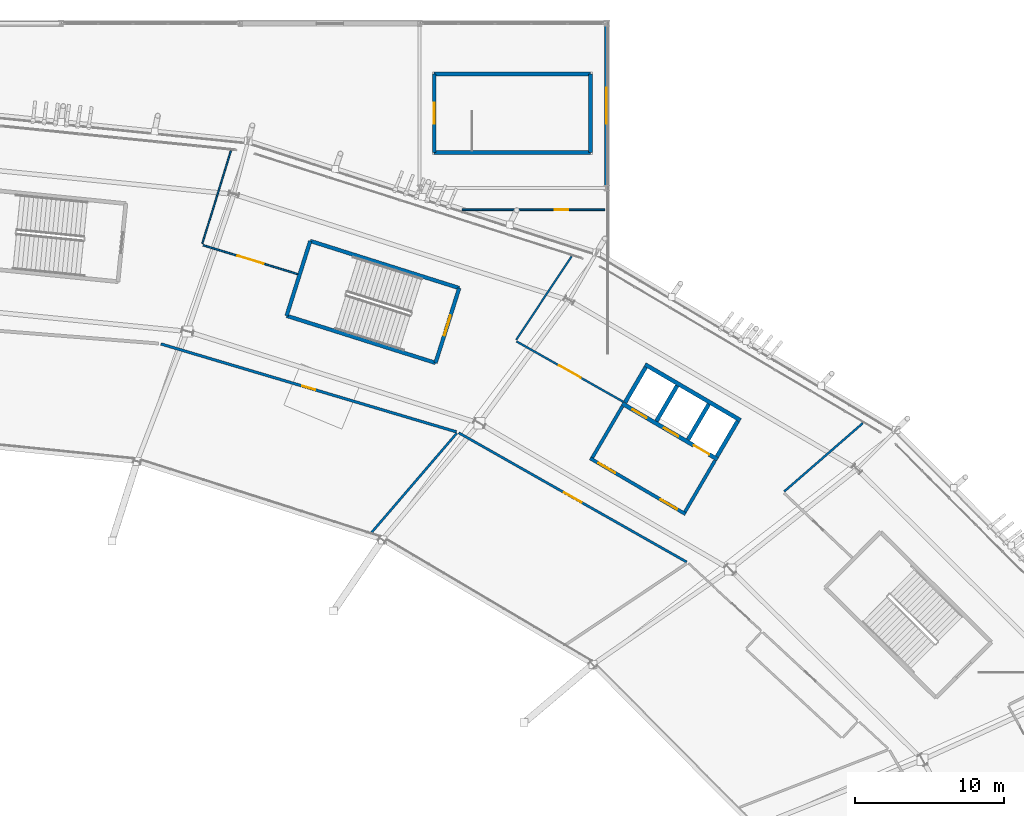
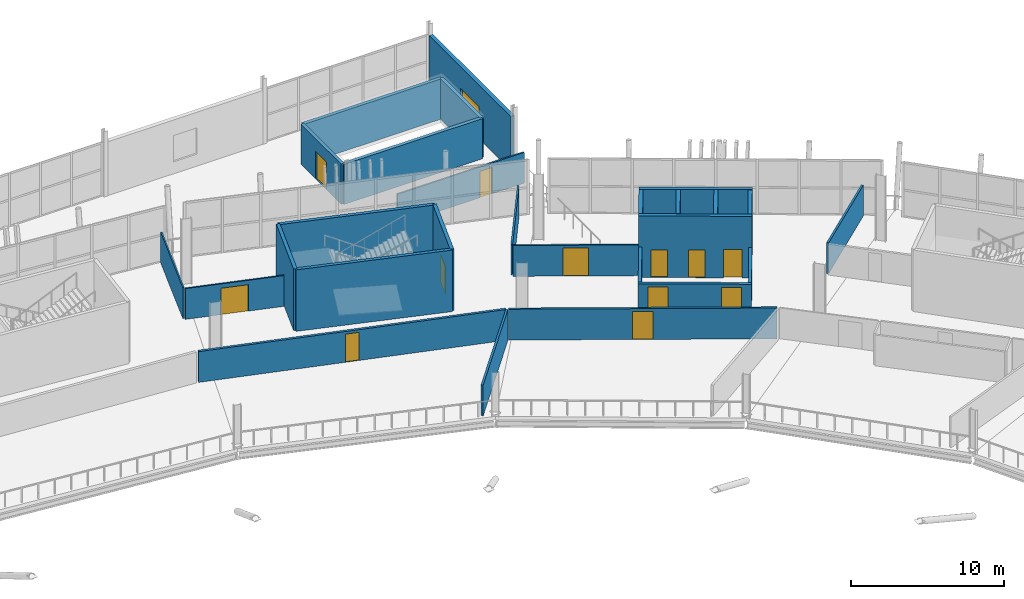
# One storey, part 127 of 168: 27 walls, 12 doors, 1 window, 13 openings.
"""IFC4 building model written with IfcOpenShell, lengths in metres."""

from ifc_helpers import new_model, si_unit, direction, frame, frame_2d, origin, place, context, subcontext, project, spatial, rectangle, extrude, material, layer, layer_set, type_object, element, fill, save


model = new_model("IFC4")

# Units and contexts
model_context = context("Model", 3, precision=1e-05, world=origin(), true_north=direction((0.0, 1.0)))
body_context = subcontext(model_context, "Body", "Model", "MODEL_VIEW")
ifc_project = project(units=[si_unit("LENGTHUNIT", "METRE"), si_unit("AREAUNIT", "SQUARE_METRE"), si_unit("VOLUMEUNIT", "CUBIC_METRE"), si_unit("PLANEANGLEUNIT", "RADIAN"), si_unit("MASSUNIT", "GRAM", prefix="KILO")], contexts=[model_context])

# Site, building, storey
site_placement = place(None, origin())
site = spatial("IfcSite", under=ifc_project, at=site_placement, CompositionType="ELEMENT")
building_placement = place(site_placement, origin())
building = spatial("IfcBuilding", under=site, at=building_placement, Name="Zlatoyarsky Gate Stadium", CompositionType="ELEMENT")
storey_placement = place(building_placement, frame((0.0, 0.0, 15.60009765625)))
storey = spatial("IfcBuildingStorey", under=building, at=storey_placement, Name="L03", CompositionType="ELEMENT", Elevation=15.60009765625)

# Walls
ifc_material_1 = material(Name="Moisture-resistant masonry partition", Category="masonry")
ifc_layer_1 = layer(ifc_material_1, 0.139892578125)
ifc_layer_set_1 = layer_set([ifc_layer_1], Name="Moisture-resistant masonry partition")
wall_type_1 = type_object("IfcWallType", Name="ATHLETE CHANGING BLOCK PARTITION 140", PredefinedType="PARTITIONING", material=ifc_layer_set_1)
wall_1_placement = place(storey_placement, frame((171.889404296875, 128.699462890625, 0.0), z_axis=(0.0, 0.0, 1.0), x_axis=(0.754730895787, 0.656034507434, 0.0)))
element("IfcWall", 1, at=wall_1_placement, inside=storey, type_object=wall_type_1, Name="L03 interior partition PRT-L03-ORD-02R", PredefinedType="PARTITIONING", context=body_context, shape_type="SweptSolid", body=[
    extrude(rectangle(XDim=6.95849609375, YDim=0.139892578125, at=frame_2d((3.479248046875, 0.0))), origin(), (0.0, 0.0, 1.0), 2.449951171875),
])
ifc_material_2 = material(Name="Metal-stud gypsum partition", Category="gypsum")
ifc_layer_2 = layer(ifc_material_2, 0.14990234375)
ifc_layer_set_2 = layer_set([ifc_layer_2], Name="Metal-stud gypsum partition")
wall_type_2 = type_object("IfcWallType", Name="CONCOURSE CORRIDOR PARTITION 150", PredefinedType="PARTITIONING", material=ifc_layer_set_2)
wall_2_placement = place(storey_placement, frame((144.2880859375, 125.9609375, 0.0), z_axis=(0.0, 0.0, 1.0), x_axis=(0.651283048818, 0.758834890027, 0.0)))
element("IfcWall", 2, at=wall_2_placement, inside=storey, type_object=wall_type_2, Name="L03 interior partition PRT-L03-IRD-04", PredefinedType="PARTITIONING", context=body_context, shape_type="SweptSolid", body=[
    extrude(rectangle(XDim=8.74853515625, YDim=0.14990234375, at=frame_2d((4.374267578125, 0.0))), origin(), (0.0, 0.0, 1.0), 2.449951171875),
])
ifc_material_3 = material(Name="Concrete C40/50", Category="concrete")
ifc_layer_3 = layer(ifc_material_3, 0.27001953125)
ifc_layer_set_3 = layer_set([ifc_layer_3], Name="Concrete C40/50")
wall_type_3 = type_object("IfcWallType", Name="CONCRETE LIFT SHAFT SHEAR WALL 270", PredefinedType="SHEAR", material=ifc_layer_set_3)
wall_3_placement = place(storey_placement, frame((168.962646484375, 133.458984375, 0.0), z_axis=(0.0, 0.0, 1.0), x_axis=(-0.862865684113, 0.505433290534, 0.0)))
element("IfcWall", 3, at=wall_3_placement, inside=storey, type_object=wall_type_3, Name="C1 L03 lift shaft rear wall", PredefinedType="SHEAR", context=body_context, shape_type="SweptSolid", body=[
    extrude(rectangle(XDim=7.400146484375, YDim=0.27001953125, at=frame_2d((3.7001953125, 0.0))), origin(), (0.0, 0.0, 1.0), 4.89990234375),
])
for number, where, z_axis, x_axis, name in (
    (4, (168.772705078125, 133.402099609375, 0.0), (0.0, 0.0, 1.0), (-0.505465660416, -0.862846722275, 0.0), "C1 L03 lift shaft left wall"),
    (5, (162.62060546875, 137.006103515625, 0.0), (0.0, 0.0, 1.0), (-0.505465660416, -0.862846722275, 0.0), "C1 L03 lift shaft right wall"),
):
    element("IfcWall", number, at=place(storey_placement, frame(where, z_axis=z_axis, x_axis=x_axis)), inside=storey, type_object=wall_type_3, Name=name, PredefinedType="SHEAR", context=body_context, shape_type="SweptSolid", body=[
        extrude(rectangle(XDim=2.739990234375, YDim=0.27001953125, at=frame_2d((1.3701171875, 0.0))), origin(), (0.0, 0.0, 1.0), 4.89990234375),
    ])
wall_4_placement = place(storey_placement, frame((166.840087890625, 134.5341796875, 0.0), z_axis=(0.0, 0.0, 1.0), x_axis=(-0.505504523015, -0.862823954936, 0.0)))
element("IfcWall", 6, at=wall_4_placement, inside=storey, type_object=wall_type_3, Name="C1 L03 lift shaft divider 1", PredefinedType="SHEAR", context=body_context, shape_type="SweptSolid", body=[
    extrude(rectangle(XDim=2.73974609375, YDim=0.27001953125, at=frame_2d((1.369873046875, 0.0))), origin(), (0.0, 0.0, 1.0), 4.89990234375),
])
wall_5_placement = place(storey_placement, frame((164.72607421875, 135.772705078125, 0.0), z_axis=(0.0, 0.0, 1.0), x_axis=(-0.505465660416, -0.862846722275, 0.0)))
element("IfcWall", 7, at=wall_5_placement, inside=storey, type_object=wall_type_3, Name="C1 L03 lift shaft divider 2", PredefinedType="SHEAR", context=body_context, shape_type="SweptSolid", body=[
    extrude(rectangle(XDim=2.739990234375, YDim=0.27001953125, at=frame_2d((1.3701171875, 0.0))), origin(), (0.0, 0.0, 1.0), 4.89990234375),
])

# Wall, openings, doors
wall_6_placement = place(storey_placement, frame((167.430908203125, 130.844482421875, 0.0), z_axis=(0.0, 0.0, 1.0), x_axis=(-0.862842866418, 0.505472242434, 0.0)))
wall_6 = element("IfcWall", 8, at=wall_6_placement, inside=storey, type_object=wall_type_3, Name="C1 L03 lift landing front wall", PredefinedType="SHEAR", context=body_context, shape_type="SweptSolid", body=[
    extrude(rectangle(XDim=7.39990234375, YDim=0.27001953125, at=frame_2d((3.699951171875, 0.0))), origin(), (0.0, 0.0, 1.0), 4.89990234375),
])
opening_1_placement = place(wall_6_placement, frame((0.64990234375, 0.0, 0.0)))
opening_1 = element("IfcOpeningElement", 9, at=opening_1_placement, cuts=wall_6, Name="Opening LD-FL-01-L03", PredefinedType="OPENING", context=body_context, shape_type="SweptSolid", body=[
    extrude(rectangle(XDim=1.199951171875, YDim=2.25, at=frame_2d((0.60009765625, 1.125))), frame((0.0, 0.14501953125, 0.0), z_axis=(0.0, -1.0, 0.0), x_axis=(1.0, 0.0, 0.0)), (0.0, 0.0, 1.0), 0.2900390625),
])
opening_2_placement = place(wall_6_placement, frame((3.050048828125, 0.0, 0.0)))
opening_2 = element("IfcOpeningElement", 10, at=opening_2_placement, cuts=wall_6, Name="Opening LD-LF-01-L03", PredefinedType="OPENING", context=body_context, shape_type="SweptSolid", body=[
    extrude(rectangle(XDim=1.10009765625, YDim=2.199951171875, at=frame_2d((0.550048828125, 1.10009765625))), frame((0.0, 0.14501953125, 0.0), z_axis=(0.0, -1.0, 0.0), x_axis=(1.0, 0.0, 0.0)), (0.0, 0.0, 1.0), 0.2900390625),
])
opening_3_placement = place(wall_6_placement, frame((5.5, 0.0, 0.0)))
opening_3 = element("IfcOpeningElement", 11, at=opening_3_placement, cuts=wall_6, Name="Opening LD-LF-02-L03", PredefinedType="OPENING", context=body_context, shape_type="SweptSolid", body=[
    extrude(rectangle(XDim=1.10009765625, YDim=2.199951171875, at=frame_2d((0.550048828125, 1.10009765625))), frame((0.0, 0.14501953125, 0.0), z_axis=(0.0, -1.0, 0.0), x_axis=(1.0, 0.0, 0.0)), (0.0, 0.0, 1.0), 0.2900390625),
])
ifc_material_4 = material(Name="Powder-coated steel fire door", Category="steel")
door_type_1 = type_object("IfcDoorType", Name="STAINLESS LIFT LANDING SLIDING DOOR 1100X2200", OperationType="DOUBLE_DOOR_SLIDING", PredefinedType="DOOR", material=ifc_material_4)
door_1_placement = place(opening_2_placement, origin())
door_1 = element("IfcDoor", 12, at=door_1_placement, inside=storey, type_object=door_type_1, Name="Lift LF-01 L03 sliding landing door", OperationType="DOUBLE_DOOR_SLIDING", OverallHeight=2.199951171875, OverallWidth=1.10009765625, PredefinedType="DOOR", context=body_context, shape_type="SweptSolid", body=[
    extrude(rectangle(XDim=1.10009765625, YDim=2.199951171875, at=frame_2d((0.550048828125, 1.10009765625))), frame((0.0, 0.02490234375, 0.0), z_axis=(0.0, -1.0, 0.0), x_axis=(1.0, 0.0, 0.0)), (0.0, 0.0, 1.0), 0.050048828125),
])
fill(opening_2, door_1)
door_2_placement = place(opening_3_placement, origin())
door_2 = element("IfcDoor", 13, at=door_2_placement, inside=storey, type_object=door_type_1, Name="Lift LF-02 L03 sliding landing door", OperationType="DOUBLE_DOOR_SLIDING", OverallHeight=2.199951171875, OverallWidth=1.10009765625, PredefinedType="DOOR", context=body_context, shape_type="SweptSolid", body=[
    extrude(rectangle(XDim=1.10009765625, YDim=2.199951171875, at=frame_2d((0.550048828125, 1.10009765625))), frame((0.0, 0.02490234375, 0.0), z_axis=(0.0, -1.0, 0.0), x_axis=(1.0, 0.0, 0.0)), (0.0, 0.0, 1.0), 0.050048828125),
])
fill(opening_3, door_2)
door_type_2 = type_object("IfcDoorType", Name="STAINLESS LIFT LANDING SLIDING DOOR 1200X2250", OperationType="DOUBLE_DOOR_SLIDING", PredefinedType="DOOR", material=ifc_material_4)
door_3_placement = place(opening_1_placement, origin())
door_3 = element("IfcDoor", 14, at=door_3_placement, inside=storey, type_object=door_type_2, Name="Lift FL-01 L03 sliding landing door", OperationType="DOUBLE_DOOR_SLIDING", OverallHeight=2.25, OverallWidth=1.199951171875, PredefinedType="DOOR", context=body_context, shape_type="SweptSolid", body=[
    extrude(rectangle(XDim=1.199951171875, YDim=2.25, at=frame_2d((0.60009765625, 1.125))), frame((0.0, 0.02490234375, 0.0), z_axis=(0.0, -1.0, 0.0), x_axis=(1.0, 0.0, 0.0)), (0.0, 0.0, 1.0), 0.050048828125),
])
fill(opening_1, door_3)

# Wall, opening, door
ifc_layer_4 = layer(ifc_material_3, 0.25)
ifc_layer_set_4 = layer_set([ifc_layer_4], Name="Concrete C40/50")
wall_type_4 = type_object("IfcWallType", Name="CONCRETE STAIR CORE SHEAR WALL 250", PredefinedType="SHEAR", material=ifc_layer_set_4)
wall_7_placement = place(storey_placement, frame((148.563232421875, 137.30126953125, 0.0), z_axis=(0.0, 0.0, 1.0), x_axis=(0.30152749866, 0.953457480726, 0.0)))
wall_7 = element("IfcWall", 15, at=wall_7_placement, inside=storey, type_object=wall_type_4, Name="ST-03 L03 stair core entrance shear wall", PredefinedType="SHEAR", context=body_context, shape_type="SweptSolid", body=[
    extrude(rectangle(XDim=5.25, YDim=0.25, at=frame_2d((2.625, 0.0))), origin(), (0.0, 0.0, 1.0), 4.89990234375),
])
opening_4_placement = place(wall_7_placement, frame((1.925048828125, 0.0, 0.0)))
opening_4 = element("IfcOpeningElement", 16, at=opening_4_placement, cuts=wall_7, Name="Opening SD-ST-03-L03", PredefinedType="OPENING", context=body_context, shape_type="SweptSolid", body=[
    extrude(rectangle(XDim=1.39990234375, YDim=2.199951171875, at=frame_2d((0.699951171875, 1.10009765625))), frame((0.0, 0.135009765625, 0.0), z_axis=(0.0, -1.0, 0.0), x_axis=(1.0, 0.0, 0.0)), (0.0, 0.0, 1.0), 0.27001953125),
])
door_type_3 = type_object("IfcDoorType", Name="STAIR CORE FIRE EXIT DOOR 1400X2200", OperationType="NOTDEFINED", PredefinedType="DOOR", material=ifc_material_4)
door_4_placement = place(opening_4_placement, frame((1.39990234375, 0.0, 0.0), z_axis=(0.0, 0.0, 1.0), x_axis=(-1.0, 0.0, 0.0)))
door_4 = element("IfcDoor", 17, at=door_4_placement, inside=storey, type_object=door_type_3, Name="ST-03 L03 stair fire door", OperationType="SINGLE_SWING_RIGHT", OverallHeight=2.199951171875, OverallWidth=1.39990234375, PredefinedType="DOOR", context=body_context, shape_type="SweptSolid", body=[
    extrude(rectangle(XDim=1.39990234375, YDim=2.199951171875, at=frame_2d((0.699951171875, 1.10009765625))), frame((0.0, 0.02490234375, 0.0), z_axis=(0.0, -1.0, 0.0), x_axis=(1.0, 0.0, 0.0)), (0.0, 0.0, 1.0), 0.050048828125),
])
fill(opening_4, door_4)

# Walls
wall_8_placement = place(storey_placement, frame((150.146240234375, 142.306884765625, 0.0), z_axis=(0.0, 0.0, 1.0), x_axis=(-0.953461834254, 0.301513732061, 0.0)))
element("IfcWall", 18, at=wall_8_placement, inside=storey, type_object=wall_type_4, Name="ST-03 L03 stair core left shear wall", PredefinedType="SHEAR", context=body_context, shape_type="SweptSolid", body=[
    extrude(rectangle(XDim=10.4501953125, YDim=0.25, at=frame_2d((5.22509765625, 0.0))), origin(), (0.0, 0.0, 1.0), 4.89990234375),
])
wall_9_placement = place(storey_placement, frame((140.182373046875, 145.457763671875, 0.0), z_axis=(0.0, 0.0, 1.0), x_axis=(-0.301485222482, -0.953470849384, 0.0)))
element("IfcWall", 19, at=wall_9_placement, inside=storey, type_object=wall_type_4, Name="ST-03 L03 stair core far shear wall", PredefinedType="SHEAR", context=body_context, shape_type="SweptSolid", body=[
    extrude(rectangle(XDim=5.25, YDim=0.25, at=frame_2d((2.625, 0.0))), origin(), (0.0, 0.0, 1.0), 4.89990234375),
])
wall_10_placement = place(storey_placement, frame((138.599609375, 140.4521484375, 0.0), z_axis=(0.0, 0.0, 1.0), x_axis=(0.953459710305, -0.301520448438, 0.0)))
element("IfcWall", 20, at=wall_10_placement, inside=storey, type_object=wall_type_4, Name="ST-03 L03 stair core right shear wall", PredefinedType="SHEAR", context=body_context, shape_type="SweptSolid", body=[
    extrude(rectangle(XDim=10.449951171875, YDim=0.25, at=frame_2d((5.22509765625, 0.0))), origin(), (0.0, 0.0, 1.0), 4.89990234375),
])

# Wall, opening, door
wall_11_placement = place(storey_placement, frame((148.47509765625, 156.625, 0.0), z_axis=(0.0, 0.0, 1.0), x_axis=(0.0, -1.0, 0.0)))
wall_11 = element("IfcWall", 21, at=wall_11_placement, inside=storey, type_object=wall_type_4, Name="ST-32 L03 stair core entrance shear wall", PredefinedType="SHEAR", context=body_context, shape_type="SweptSolid", body=[
    extrude(rectangle(XDim=5.25, YDim=0.25, at=frame_2d((2.625, 0.0))), origin(), (0.0, 0.0, 1.0), 3.199951171875),
])
opening_5_placement = place(wall_11_placement, frame((1.925048828125, 0.0, 0.0)))
opening_5 = element("IfcOpeningElement", 22, at=opening_5_placement, cuts=wall_11, Name="Opening SD-ST-32-L03", PredefinedType="OPENING", context=body_context, shape_type="SweptSolid", body=[
    extrude(rectangle(XDim=1.39990234375, YDim=2.199951171875, at=frame_2d((0.699951171875, 1.10009765625))), frame((0.0, 0.135009765625, 0.0), z_axis=(0.0, -1.0, 0.0), x_axis=(1.0, 0.0, 0.0)), (0.0, 0.0, 1.0), 0.27001953125),
])
door_5_placement = place(opening_5_placement, frame((1.39990234375, 0.0, 0.0), z_axis=(0.0, 0.0, 1.0), x_axis=(-1.0, 0.0, 0.0)))
door_5 = element("IfcDoor", 23, at=door_5_placement, inside=storey, type_object=door_type_3, Name="ST-32 L03 stair fire door", OperationType="SINGLE_SWING_RIGHT", OverallHeight=2.199951171875, OverallWidth=1.39990234375, PredefinedType="DOOR", context=body_context, shape_type="SweptSolid", body=[
    extrude(rectangle(XDim=1.39990234375, YDim=2.199951171875, at=frame_2d((0.699951171875, 1.10009765625))), frame((0.0, 0.02490234375, 0.0), z_axis=(0.0, -1.0, 0.0), x_axis=(1.0, 0.0, 0.0)), (0.0, 0.0, 1.0), 0.050048828125),
])
fill(opening_5, door_5)

# Walls
wall_12_placement = place(storey_placement, frame((148.47509765625, 151.375, 0.0), z_axis=(0.0, 0.0, 1.0), x_axis=(1.0, 0.0, 0.0)))
element("IfcWall", 24, at=wall_12_placement, inside=storey, type_object=wall_type_4, Name="ST-32 L03 stair core left shear wall", PredefinedType="SHEAR", context=body_context, shape_type="SweptSolid", body=[
    extrude(rectangle(XDim=10.449951171875, YDim=0.25, at=frame_2d((5.22509765625, 0.0))), origin(), (0.0, 0.0, 1.0), 3.199951171875),
])
wall_13_placement = place(storey_placement, frame((158.925048828125, 151.375, 0.0), z_axis=(0.0, 0.0, 1.0), x_axis=(0.0, 1.0, 0.0)))
element("IfcWall", 25, at=wall_13_placement, inside=storey, type_object=wall_type_4, Name="ST-32 L03 stair core far shear wall", PredefinedType="SHEAR", context=body_context, shape_type="SweptSolid", body=[
    extrude(rectangle(XDim=5.25, YDim=0.25, at=frame_2d((2.625, 0.0))), origin(), (0.0, 0.0, 1.0), 3.199951171875),
])
wall_14_placement = place(storey_placement, frame((158.925048828125, 156.625, 0.0), z_axis=(0.0, 0.0, 1.0), x_axis=(-1.0, 0.0, 0.0)))
element("IfcWall", 26, at=wall_14_placement, inside=storey, type_object=wall_type_4, Name="ST-32 L03 stair core right shear wall", PredefinedType="SHEAR", context=body_context, shape_type="SweptSolid", body=[
    extrude(rectangle(XDim=10.449951171875, YDim=0.25, at=frame_2d((5.22509765625, 0.0))), origin(), (0.0, 0.0, 1.0), 3.199951171875),
])
ifc_material_5 = material(Name="Autoclaved aerated concrete masonry EI 120", Category="masonry")
ifc_layer_5 = layer(ifc_material_5, 0.219970703125)
ifc_layer_set_5 = layer_set([ifc_layer_5], Name="Autoclaved aerated concrete masonry EI 120")
wall_type_5 = type_object("IfcWallType", Name="FIREFIGHTING LOBBY RATED WALL 220", PredefinedType="PARTITIONING", material=ifc_layer_set_5)
for number, where, z_axis, x_axis, name in (
    (27, (167.2578125, 130.766357421875, 0.0), (0.0, 0.0, 1.0), (-0.505464443681, -0.862847435051, 0.0), "C1 L03 firefighting lobby left wall"),
    (28, (161.0625, 134.3955078125, 0.0), (0.0, 0.0, 1.0), (-0.505464443681, -0.862847435051, 0.0), "C1 L03 firefighting lobby right wall"),
):
    element("IfcWall", number, at=place(storey_placement, frame(where, z_axis=z_axis, x_axis=x_axis)), inside=storey, type_object=wall_type_5, Name=name, PredefinedType="PARTITIONING", context=body_context, shape_type="SweptSolid", body=[
        extrude(rectangle(XDim=3.97998046875, YDim=0.219970703125, at=frame_2d((1.989990234375, 0.0))), origin(), (0.0, 0.0, 1.0), 2.449951171875),
    ])

# Wall, openings, doors
wall_15_placement = place(storey_placement, frame((165.285400390625, 127.181640625, 0.0), z_axis=(0.0, 0.0, 1.0), x_axis=(-0.862851295616, 0.505457853488, 0.0)))
wall_15 = element("IfcWall", 29, at=wall_15_placement, inside=storey, type_object=wall_type_5, Name="C1 L03 firefighting lobby front wall", PredefinedType="PARTITIONING", context=body_context, shape_type="SweptSolid", body=[
    extrude(rectangle(XDim=7.400146484375, YDim=0.219970703125, at=frame_2d((3.7001953125, 0.0))), origin(), (0.0, 0.0, 1.0), 2.449951171875),
])
opening_6_placement = place(wall_15_placement, frame((0.64990234375, 0.0, 0.0)))
opening_6 = element("IfcOpeningElement", 30, at=opening_6_placement, cuts=wall_15, Name="Opening FD-C1-L03-A", PredefinedType="OPENING", context=body_context, shape_type="SweptSolid", body=[
    extrude(rectangle(XDim=1.300048828125, YDim=2.199951171875, at=frame_2d((0.64990234375, 1.10009765625))), frame((0.0, 0.119873046875, 0.0), z_axis=(0.0, -1.0, 0.0), x_axis=(1.0, 0.0, 0.0)), (0.0, 0.0, 1.0), 0.239990234375),
])
opening_7_placement = place(wall_15_placement, frame((5.449951171875, 0.0, 0.0)))
opening_7 = element("IfcOpeningElement", 31, at=opening_7_placement, cuts=wall_15, Name="Opening FD-C1-L03-B", PredefinedType="OPENING", context=body_context, shape_type="SweptSolid", body=[
    extrude(rectangle(XDim=1.300048828125, YDim=2.199951171875, at=frame_2d((0.64990234375, 1.10009765625))), frame((0.0, 0.119873046875, 0.0), z_axis=(0.0, -1.0, 0.0), x_axis=(1.0, 0.0, 0.0)), (0.0, 0.0, 1.0), 0.239990234375),
])
door_type_4 = type_object("IfcDoorType", Name="FIREFIGHTING LOBBY FIRE DOOR 1300X2200", OperationType="NOTDEFINED", PredefinedType="DOOR", material=ifc_material_4)
door_6_placement = place(opening_6_placement, origin())
door_6 = element("IfcDoor", 32, at=door_6_placement, inside=storey, type_object=door_type_4, Name="C1 L03 firefighting lobby fire door FD-C1-L03-A", OperationType="SINGLE_SWING_LEFT", OverallHeight=2.199951171875, OverallWidth=1.300048828125, PredefinedType="DOOR", context=body_context, shape_type="SweptSolid", body=[
    extrude(rectangle(XDim=1.300048828125, YDim=2.199951171875, at=frame_2d((0.64990234375, 1.10009765625))), frame((0.0, 0.02490234375, 0.0), z_axis=(0.0, -1.0, 0.0), x_axis=(1.0, 0.0, 0.0)), (0.0, 0.0, 1.0), 0.050048828125),
])
fill(opening_6, door_6)
door_7_placement = place(opening_7_placement, origin())
door_7 = element("IfcDoor", 33, at=door_7_placement, inside=storey, type_object=door_type_4, Name="C1 L03 firefighting lobby fire door FD-C1-L03-B", OperationType="SINGLE_SWING_RIGHT", OverallHeight=2.199951171875, OverallWidth=1.300048828125, PredefinedType="DOOR", context=body_context, shape_type="SweptSolid", body=[
    extrude(rectangle(XDim=1.300048828125, YDim=2.199951171875, at=frame_2d((0.64990234375, 1.10009765625))), frame((0.0, 0.02490234375, 0.0), z_axis=(0.0, -1.0, 0.0), x_axis=(1.0, 0.0, 0.0)), (0.0, 0.0, 1.0), 0.050048828125),
])
fill(opening_7, door_7)

# Wall, opening, door
ifc_material_6 = material(Name="Acoustic metal-stud gypsum partition", Category="gypsum")
ifc_layer_6 = layer(ifc_material_6, 0.159912109375)
ifc_layer_set_6 = layer_set([ifc_layer_6], Name="Acoustic metal-stud gypsum partition")
wall_type_6 = type_object("IfcWallType", Name="HOSPITALITY SUITE PARTITION 160", PredefinedType="PARTITIONING", material=ifc_layer_set_6)
wall_16_placement = place(storey_placement, frame((165.364990234375, 123.978515625, 0.0), z_axis=(0.0, 0.0, 1.0), x_axis=(-0.869966621759, 0.493110613377, 0.0)))
wall_16 = element("IfcWall", 34, at=wall_16_placement, inside=storey, type_object=wall_type_6, Name="L03 interior partition PRT-L03-ICC-03", PredefinedType="PARTITIONING", context=body_context, shape_type="SweptSolid", body=[
    extrude(rectangle(XDim=17.529052734375, YDim=0.159912109375, at=frame_2d((8.7646484375, 0.0))), origin(), (0.0, 0.0, 1.0), 2.449951171875),
])
opening_8_placement = place(wall_16_placement, frame((8.094482421875, 0.0, 0.0)))
opening_8 = element("IfcOpeningElement", 35, at=opening_8_placement, cuts=wall_16, Name="Opening D-L03-401", PredefinedType="OPENING", context=body_context, shape_type="SweptSolid", body=[
    extrude(rectangle(XDim=1.340087890625, YDim=2.239990234375, at=frame_2d((0.669921875, 1.1201171875))), frame((0.0, 0.08984375, 0.0), z_axis=(0.0, -1.0, 0.0), x_axis=(1.0, 0.0, 0.0)), (0.0, 0.0, 1.0), 0.179931640625),
])
door_type_5 = type_object("IfcDoorType", Name="ACOUSTIC INTERIOR DOOR 1340X2240", OperationType="NOTDEFINED", PredefinedType="DOOR", material=ifc_material_4)
door_8_placement = place(opening_8_placement, origin())
door_8 = element("IfcDoor", 36, at=door_8_placement, inside=storey, type_object=door_type_5, Name="L03 room door D-L03-401", OperationType="SINGLE_SWING_RIGHT", OverallHeight=2.239990234375, OverallWidth=1.340087890625, PredefinedType="DOOR", context=body_context, shape_type="SweptSolid", body=[
    extrude(rectangle(XDim=1.340087890625, YDim=2.239990234375, at=frame_2d((0.669921875, 1.1201171875))), frame((0.0, 0.02490234375, 0.0), z_axis=(0.0, -1.0, 0.0), x_axis=(1.0, 0.0, 0.0)), (0.0, 0.0, 1.0), 0.050048828125),
])
fill(opening_8, door_8)

# Wall, opening, window
ifc_material_7 = material(Name="Limestone-faced insulated masonry wall", Category="masonry")
ifc_layer_7 = layer(ifc_material_7, 0.300048828125)
ifc_layer_set_7 = layer_set([ifc_layer_7], Name="Limestone-faced insulated masonry wall")
wall_type_7 = type_object("IfcWallType", Name="INSULATED PAVILION FACADE WALL 300", PredefinedType="STANDARD", material=ifc_layer_set_7)
wall_17_placement = place(storey_placement, frame((160.0, 149.177001953125, 0.0), z_axis=(0.0, 0.0, 1.0), x_axis=(0.0, 1.0, 0.0)))
wall_17 = element("IfcWall", 37, at=wall_17_placement, inside=storey, type_object=wall_type_7, Name="V2_NORTH L03 E exterior wall", PredefinedType="STANDARD", context=body_context, shape_type="SweptSolid", body=[
    extrude(rectangle(XDim=10.64599609375, YDim=0.300048828125, at=frame_2d((5.322998046875, 0.0))), origin(), (0.0, 0.0, 1.0), 4.27978515625),
])
opening_9_placement = place(wall_17_placement, frame((4.123046875, 0.0, 0.949951171875)))
opening_9 = element("IfcOpeningElement", 38, at=opening_9_placement, cuts=wall_17, Name="Opening WN-18", PredefinedType="OPENING", context=body_context, shape_type="SweptSolid", body=[
    extrude(rectangle(XDim=2.39990234375, YDim=1.60009765625, at=frame_2d((1.199951171875, 0.800048828125))), frame((0.0, 0.159912109375, 0.0), z_axis=(0.0, -1.0, 0.0), x_axis=(1.0, 0.0, 0.0)), (0.0, 0.0, 1.0), 0.320068359375),
])
ifc_material_8 = material(Name="Triple-glazed thermally broken aluminium window", Category="aluminium")
window_type = type_object("IfcWindowType", Name="TRIPLE GLAZED ALUMINIUM WINDOW 2400X1600", PartitioningType="SINGLE_PANEL", PredefinedType="WINDOW", material=ifc_material_8)
window_placement = place(opening_9_placement, origin())
window = element("IfcWindow", 39, at=window_placement, inside=storey, type_object=window_type, Name="Exterior window WIN-L03-018", OverallHeight=1.60009765625, OverallWidth=2.39990234375, PartitioningType="SINGLE_PANEL", PredefinedType="WINDOW", context=body_context, shape_type="SweptSolid", body=[
    extrude(rectangle(XDim=2.39990234375, YDim=1.60009765625, at=frame_2d((1.199951171875, 0.800048828125))), frame((0.0, 0.030029296875, 0.0), z_axis=(0.0, -1.0, 0.0), x_axis=(1.0, 0.0, 0.0)), (0.0, 0.0, 1.0), 0.06005859375),
])
fill(opening_9, window)

# Wall, opening, door
ifc_layer_8 = layer(ifc_material_2, 0.110107421875)
ifc_layer_set_8 = layer_set([ifc_layer_8], Name="Metal-stud gypsum partition")
wall_type_8 = type_object("IfcWallType", Name="KIOSK SERVICE PARTITION 110", PredefinedType="PARTITIONING", material=ifc_layer_set_8)
wall_18_placement = place(storey_placement, frame((139.34375, 143.236328125, 0.0), z_axis=(0.0, 0.0, 1.0), x_axis=(-0.956207119829, 0.29269086762, 0.0)))
wall_18 = element("IfcWall", 40, at=wall_18_placement, inside=storey, type_object=wall_type_8, Name="L03 interior partition PRT-L03-OCC-04-1", PredefinedType="PARTITIONING", context=body_context, shape_type="SweptSolid", body=[
    extrude(rectangle(XDim=6.617919921875, YDim=0.110107421875, at=frame_2d((3.30908203125, 0.0))), origin(), (0.0, 0.0, 1.0), 2.449951171875),
])
opening_10_placement = place(wall_18_placement, frame((2.39892578125, 0.0, 0.0)))
opening_10 = element("IfcOpeningElement", 41, at=opening_10_placement, cuts=wall_18, Name="Opening D-L03-456", PredefinedType="OPENING", context=body_context, shape_type="SweptSolid", body=[
    extrude(rectangle(XDim=1.820068359375, YDim=2.10009765625, at=frame_2d((0.91015625, 1.050048828125))), frame((0.0, 0.06494140625, 0.0), z_axis=(0.0, -1.0, 0.0), x_axis=(1.0, 0.0, 0.0)), (0.0, 0.0, 1.0), 0.130126953125),
])
ifc_material_9 = material(Name="Solid-core oak veneer acoustic door", Category="wood")
door_type_6 = type_object("IfcDoorType", Name="ACOUSTIC INTERIOR DOOR 1820X2100", OperationType="NOTDEFINED", PredefinedType="DOOR", material=ifc_material_9)
door_9_placement = place(opening_10_placement, origin())
door_9 = element("IfcDoor", 42, at=door_9_placement, inside=storey, type_object=door_type_6, Name="L03 room door D-L03-456", OperationType="SINGLE_SWING_RIGHT", OverallHeight=2.10009765625, OverallWidth=1.820068359375, PredefinedType="DOOR", context=body_context, shape_type="SweptSolid", body=[
    extrude(rectangle(XDim=1.820068359375, YDim=2.10009765625, at=frame_2d((0.91015625, 1.050048828125))), frame((0.0, 0.02490234375, 0.0), z_axis=(0.0, -1.0, 0.0), x_axis=(1.0, 0.0, 0.0)), (0.0, 0.0, 1.0), 0.050048828125),
])
fill(opening_10, door_9)

# Walls
ifc_layer_9 = layer(ifc_material_2, 0.10009765625)
ifc_layer_set_9 = layer_set([ifc_layer_9], Name="Metal-stud gypsum partition")
wall_type_9 = type_object("IfcWallType", Name="LIGHT STORAGE PARTITION 100", PredefinedType="PARTITIONING", material=ifc_layer_set_9)
wall_19_placement = place(storey_placement, frame((132.95947265625, 145.279541015625, 0.0), z_axis=(0.0, 0.0, 1.0), x_axis=(0.294776767563, 0.955566144914, 0.0)))
element("IfcWall", 43, at=wall_19_placement, inside=storey, type_object=wall_type_9, Name="L03 interior partition PRT-L03-ORD-04R", PredefinedType="PARTITIONING", context=body_context, shape_type="SweptSolid", body=[
    extrude(rectangle(XDim=6.5048828125, YDim=0.10009765625, at=frame_2d((3.25244140625, 0.0))), origin(), (0.0, 0.0, 1.0), 2.449951171875),
])
ifc_layer_10 = layer(ifc_material_2, 0.1201171875)
ifc_layer_set_10 = layer_set([ifc_layer_10], Name="Metal-stud gypsum partition")
wall_type_10 = type_object("IfcWallType", Name="OFFICE AND PRESS PARTITION 120", PredefinedType="PARTITIONING", material=ifc_layer_set_10)
wall_20_placement = place(storey_placement, frame((153.959716796875, 138.847412109375, 0.0), z_axis=(0.0, 0.0, 1.0), x_axis=(0.553505553185, 0.832845485425, 0.0)))
element("IfcWall", 44, at=wall_20_placement, inside=storey, type_object=wall_type_10, Name="L03 interior partition PRT-L03-ORD-03R", PredefinedType="PARTITIONING", context=body_context, shape_type="SweptSolid", body=[
    extrude(rectangle(XDim=6.699951171875, YDim=0.1201171875, at=frame_2d((3.35009765625, 0.0))), origin(), (0.0, 0.0, 1.0), 2.449951171875),
])

# Wall, opening, door
wall_21_placement = place(storey_placement, frame((150.346435546875, 147.550048828125, 0.0), z_axis=(0.0, 0.0, 1.0), x_axis=(1.0, 0.0, 0.0)))
wall_21 = element("IfcWall", 45, at=wall_21_placement, inside=storey, type_object=wall_type_10, Name="L03 interior partition PRT-L03-V2NC-S2", PredefinedType="PARTITIONING", context=body_context, shape_type="SweptSolid", body=[
    extrude(rectangle(XDim=9.548583984375, YDim=0.1201171875, at=frame_2d((4.7744140625, 0.0))), origin(), (0.0, 0.0, 1.0), 2.449951171875),
])
opening_11_placement = place(wall_21_placement, frame((6.198486328125, 0.0, 0.0)))
opening_11 = element("IfcOpeningElement", 46, at=opening_11_placement, cuts=wall_21, Name="Opening D-L03-495", PredefinedType="OPENING", context=body_context, shape_type="SweptSolid", body=[
    extrude(rectangle(XDim=0.89990234375, YDim=2.10009765625, at=frame_2d((0.449951171875, 1.050048828125))), frame((0.0, 0.070068359375, 0.0), z_axis=(0.0, -1.0, 0.0), x_axis=(1.0, 0.0, 0.0)), (0.0, 0.0, 1.0), 0.14013671875),
])
door_type_7 = type_object("IfcDoorType", Name="ACOUSTIC INTERIOR DOOR 900X2100", OperationType="NOTDEFINED", PredefinedType="DOOR", material=ifc_material_9)
door_10_placement = place(opening_11_placement, origin())
door_10 = element("IfcDoor", 47, at=door_10_placement, inside=storey, type_object=door_type_7, Name="L03 room door D-L03-495", OperationType="SINGLE_SWING_LEFT", OverallHeight=2.10009765625, OverallWidth=0.89990234375, PredefinedType="DOOR", context=body_context, shape_type="SweptSolid", body=[
    extrude(rectangle(XDim=0.89990234375, YDim=2.10009765625, at=frame_2d((0.449951171875, 1.050048828125))), frame((0.0, 0.02490234375, 0.0), z_axis=(0.0, -1.0, 0.0), x_axis=(1.0, 0.0, 0.0)), (0.0, 0.0, 1.0), 0.050048828125),
])
fill(opening_11, door_10)

ifc_material_10 = material(Name="Gypsum-clad mineral wool fire partition", Category="gypsum")
ifc_layer_11 = layer(ifc_material_10, 0.179931640625)
ifc_layer_set_11 = layer_set([ifc_layer_11], Name="Gypsum-clad mineral wool fire partition")
wall_type_11 = type_object("IfcWallType", Name="PLANT AND KITCHEN RATED WALL 180", PredefinedType="PARTITIONING", material=ifc_layer_set_11)
wall_22_placement = place(storey_placement, frame((149.959716796875, 132.688232421875, 0.0), z_axis=(0.0, 0.0, 1.0), x_axis=(-0.958492296074, 0.285118428668, 0.0)))
wall_22 = element("IfcWall", 48, at=wall_22_placement, inside=storey, type_object=wall_type_11, Name="L03 interior partition PRT-L03-ICC-04", PredefinedType="PARTITIONING", context=body_context, shape_type="SweptSolid", body=[
    extrude(rectangle(XDim=20.62255859375, YDim=0.179931640625, at=frame_2d((10.311279296875, 0.0))), origin(), (0.0, 0.0, 1.0), 2.449951171875),
])
opening_12_placement = place(wall_22_placement, frame((9.861328125, 0.0, 0.0)))
opening_12 = element("IfcOpeningElement", 49, at=opening_12_placement, cuts=wall_22, Name="Opening D-L03-403", PredefinedType="OPENING", context=body_context, shape_type="SweptSolid", body=[
    extrude(rectangle(XDim=0.89990234375, YDim=2.239990234375, at=frame_2d((0.449951171875, 1.1201171875))), frame((0.0, 0.099853515625, 0.0), z_axis=(0.0, -1.0, 0.0), x_axis=(1.0, 0.0, 0.0)), (0.0, 0.0, 1.0), 0.199951171875),
])
door_type_8 = type_object("IfcDoorType", Name="ACOUSTIC INTERIOR DOOR 900X2240", OperationType="NOTDEFINED", PredefinedType="DOOR", material=ifc_material_4)
door_11_placement = place(opening_12_placement, origin())
door_11 = element("IfcDoor", 50, at=door_11_placement, inside=storey, type_object=door_type_8, Name="L03 room door D-L03-403", OperationType="SINGLE_SWING_LEFT", OverallHeight=2.239990234375, OverallWidth=0.89990234375, PredefinedType="DOOR", context=body_context, shape_type="SweptSolid", body=[
    extrude(rectangle(XDim=0.89990234375, YDim=2.239990234375, at=frame_2d((0.449951171875, 1.1201171875))), frame((0.0, 0.02490234375, 0.0), z_axis=(0.0, -1.0, 0.0), x_axis=(1.0, 0.0, 0.0)), (0.0, 0.0, 1.0), 0.050048828125),
])
fill(opening_12, door_11)

ifc_material_11 = material(Name="Moisture-resistant tile-backed partition", Category="gypsum")
ifc_layer_12 = layer(ifc_material_11, 0.1298828125)
ifc_layer_set_12 = layer_set([ifc_layer_12], Name="Moisture-resistant tile-backed partition")
wall_type_12 = type_object("IfcWallType", Name="SANITARY WET ROOM PARTITION 130", PredefinedType="PARTITIONING", material=ifc_layer_set_12)
wall_23_placement = place(storey_placement, frame((161.1103515625, 134.705078125, 0.0), z_axis=(0.0, 0.0, 1.0), x_axis=(-0.870382774167, 0.492375696429, 0.0)))
wall_23 = element("IfcWall", 51, at=wall_23_placement, inside=storey, type_object=wall_type_12, Name="L03 interior partition PRT-L03-OCC-03-1", PredefinedType="PARTITIONING", context=body_context, shape_type="SweptSolid", body=[
    extrude(rectangle(XDim=8.184326171875, YDim=0.1298828125, at=frame_2d((4.09228515625, 0.0))), origin(), (0.0, 0.0, 1.0), 2.449951171875),
])
opening_13_placement = place(wall_23_placement, frame((3.252197265625, 0.0, 0.0)))
opening_13 = element("IfcOpeningElement", 52, at=opening_13_placement, cuts=wall_23, Name="Opening D-L03-454", PredefinedType="OPENING", context=body_context, shape_type="SweptSolid", body=[
    extrude(rectangle(XDim=1.679931640625, YDim=2.239990234375, at=frame_2d((0.83984375, 1.1201171875))), frame((0.0, 0.074951171875, 0.0), z_axis=(0.0, -1.0, 0.0), x_axis=(1.0, 0.0, 0.0)), (0.0, 0.0, 1.0), 0.14990234375),
])
door_type_9 = type_object("IfcDoorType", Name="ACOUSTIC INTERIOR DOOR 1680X2240", OperationType="NOTDEFINED", PredefinedType="DOOR", material=ifc_material_9)
door_12_placement = place(opening_13_placement, origin())
door_12 = element("IfcDoor", 53, at=door_12_placement, inside=storey, type_object=door_type_9, Name="L03 room door D-L03-454", OperationType="SINGLE_SWING_LEFT", OverallHeight=2.239990234375, OverallWidth=1.679931640625, PredefinedType="DOOR", context=body_context, shape_type="SweptSolid", body=[
    extrude(rectangle(XDim=1.679931640625, YDim=2.239990234375, at=frame_2d((0.83984375, 1.1201171875))), frame((0.0, 0.02490234375, 0.0), z_axis=(0.0, -1.0, 0.0), x_axis=(1.0, 0.0, 0.0)), (0.0, 0.0, 1.0), 0.050048828125),
])
fill(opening_13, door_12)

save(model, "model.ifc")
